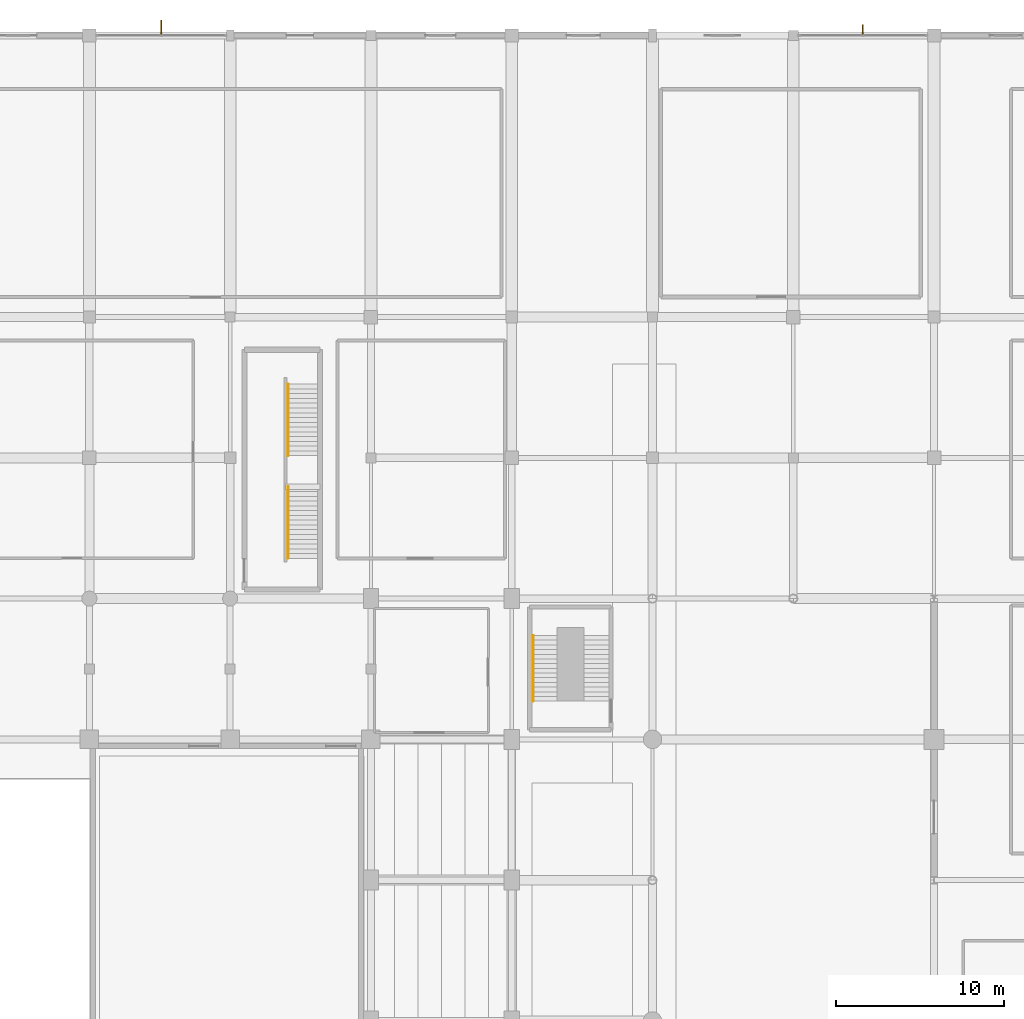
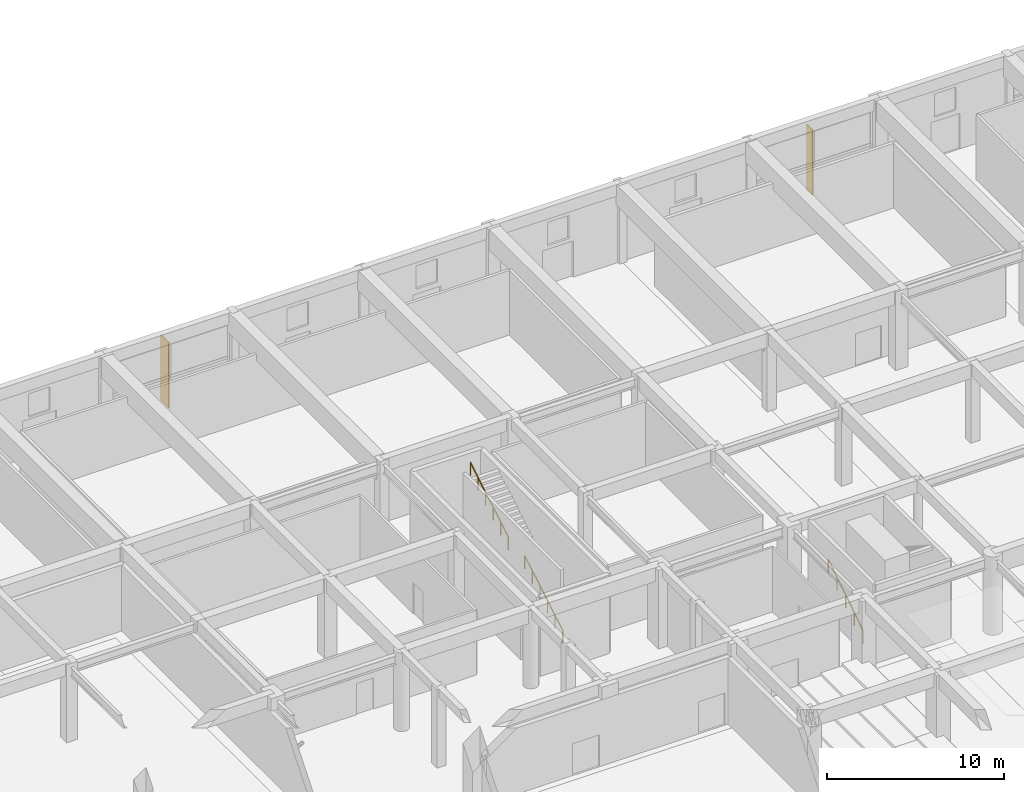
# One storey, part 59 of 62: 3 railings, 2 shading devices.
"""IFC4 building model written with IfcOpenShell, lengths in metres."""

from ifc_helpers import new_model, si_unit, direction, frame, origin, origin_2d, place, context, subcontext, project, spatial, rectangle, circle, extrude, material, type_object, element, save


model = new_model("IFC4")

# Units and contexts
model_context = context("Model", 3, precision=1e-05, world=origin(), true_north=direction((0.0, 1.0)))
body_context = subcontext(model_context, "Body", "Model", "MODEL_VIEW")
ifc_project = project(units=[si_unit("LENGTHUNIT", "METRE"), si_unit("AREAUNIT", "SQUARE_METRE"), si_unit("VOLUMEUNIT", "CUBIC_METRE"), si_unit("PLANEANGLEUNIT", "RADIAN"), si_unit("MASSUNIT", "GRAM", prefix="KILO")], contexts=[model_context])

# Site, building, storey
site_placement = place(None, origin())
site = spatial("IfcSite", under=ifc_project, at=site_placement, CompositionType="ELEMENT")
building_placement = place(site_placement, origin())
building = spatial("IfcBuilding", under=site, at=building_placement, Name="Xuanlan Plaza Opera House", CompositionType="ELEMENT")
storey_placement = place(building_placement, origin())
storey = spatial("IfcBuildingStorey", under=building, at=storey_placement, Name="L00", CompositionType="ELEMENT", Elevation=0.0)

# Shading devices
ifc_material_1 = material(Name="Anodised Aluminium 6063-T6", Category="aluminium")
shading_device_type_1 = type_object("IfcShadingDeviceType", Name="ENV-SHD-BRS01", PredefinedType="JALOUSIE", material=ifc_material_1)
shading_device_1_placement = place(storey_placement, frame((121.75, 117.925048828125, 0.0400390625), z_axis=(0.0, 0.0, 1.0), x_axis=(0.0, 1.0, 0.0)))
element("IfcShadingDevice", 1, at=shading_device_1_placement, inside=storey, type_object=shading_device_type_1, Name="Parametric Sunshade Fin L00-0025", PredefinedType="JALOUSIE", context=body_context, shape_type="SweptSolid", body=[
    extrude(rectangle(XDim=0.639892578125, YDim=0.070068359375, at=origin_2d()), origin(), (0.0, 0.0, 1.0), 4.5),
])
shading_device_type_2 = type_object("IfcShadingDeviceType", Name="ENV-SHD-BRS02", PredefinedType="JALOUSIE", material=ifc_material_1)
shading_device_2_placement = place(storey_placement, frame((79.887451171875, 118.06494140625, 0.0400390625), z_axis=(0.0, 0.0, 1.0), x_axis=(0.0, 1.0, 0.0)))
element("IfcShadingDevice", 2, at=shading_device_2_placement, inside=storey, type_object=shading_device_type_2, Name="Parametric Sunshade Fin L00-0026", PredefinedType="JALOUSIE", context=body_context, shape_type="SweptSolid", body=[
    extrude(rectangle(XDim=0.919921875, YDim=0.080078125, at=origin_2d()), origin(), (0.0, 0.0, 1.0), 4.5),
])

# Railings
ifc_material_2 = material(Name="Stainless Steel S30408", Category="steel")
railing_type_1 = type_object("IfcRailingType", Name="INT-RL-HR01", PredefinedType="HANDRAIL", material=ifc_material_2)
for number, where, name in (
    (3, (87.4599609375, 86.39990234375, 0.168701171875), "Stair Handrail ST-P4 L00 Flight 1"),
    (4, (87.4599609375, 92.52490234375, 2.86865234375), "Stair Handrail ST-P4 L00 Flight 2"),
):
    element("IfcRailing", number, at=place(storey_placement, frame(where)), inside=storey, type_object=railing_type_1, Name=name, PredefinedType="HANDRAIL", context=body_context, shape_type="SweptSolid", body=[
        extrude(circle(Radius=0.02392578125, at=origin_2d()), frame((0.0, 0.0, 0.8759765625), z_axis=(0.0, 0.860483042394, 0.50947908078), x_axis=(-1.0, 0.0, 0.0)), (0.0, 0.0, 1.0), 4.96826171875),
        extrude(circle(Radius=0.02099609375, at=origin_2d()), origin(), (0.0, 0.0, 1.0), 0.851806640625),
        extrude(circle(Radius=0.02099609375, at=origin_2d()), frame((0.0, 0.85498046875, 0.50634765625)), (0.0, 0.0, 1.0), 0.851806640625),
        extrude(circle(Radius=0.02099609375, at=origin_2d()), frame((0.0, 1.7099609375, 1.012451171875)), (0.0, 0.0, 1.0), 0.851806640625),
        extrude(circle(Radius=0.02099609375, at=origin_2d()), frame((0.0, 2.565185546875, 1.518798828125)), (0.0, 0.0, 1.0), 0.851806640625),
        extrude(circle(Radius=0.02099609375, at=origin_2d()), frame((0.0, 3.420166015625, 2.02490234375)), (0.0, 0.0, 1.0), 0.851806640625),
        extrude(circle(Radius=0.02099609375, at=origin_2d()), frame((0.0, 4.275146484375, 2.53125)), (0.0, 0.0, 1.0), 0.851806640625),
    ])
railing_type_2 = type_object("IfcRailingType", Name="INT-RL-HR02", PredefinedType="HANDRAIL", material=ifc_material_2)
railing_placement = place(storey_placement, frame((102.080078125, 77.8798828125, 0.179931640625)))
element("IfcRailing", 5, at=railing_placement, inside=storey, type_object=railing_type_2, Name="Feature Stair Handrail ST-F2 L00 Flight 1", PredefinedType="HANDRAIL", context=body_context, shape_type="SweptSolid", body=[
    extrude(circle(Radius=0.02392578125, at=origin_2d()), frame((0.0, 0.0, 0.89599609375), z_axis=(0.0, 0.841186985886, 0.540744352514), x_axis=(-1.0, 0.0, 0.0)), (0.0, 0.0, 1.0), 4.660400390625),
    extrude(circle(Radius=0.02099609375, at=origin_2d()), origin(), (0.0, 0.0, 1.0), 0.871826171875),
    extrude(circle(Radius=0.02099609375, at=origin_2d()), frame((0.0, 0.97998046875, 0.6298828125)), (0.0, 0.0, 1.0), 0.871826171875),
    extrude(circle(Radius=0.02099609375, at=origin_2d()), frame((0.0, 1.9599609375, 1.260009765625)), (0.0, 0.0, 1.0), 0.871826171875),
    extrude(circle(Radius=0.02099609375, at=origin_2d()), frame((0.0, 2.940185546875, 1.89013671875)), (0.0, 0.0, 1.0), 0.871826171875),
    extrude(circle(Radius=0.02099609375, at=origin_2d()), frame((0.0, 3.920166015625, 2.52001953125)), (0.0, 0.0, 1.0), 0.871826171875),
])

save(model, "model.ifc")
